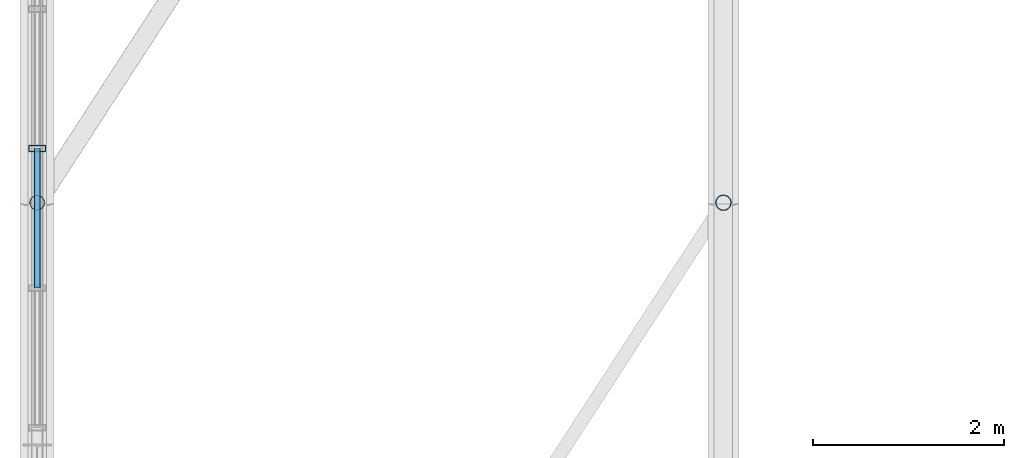
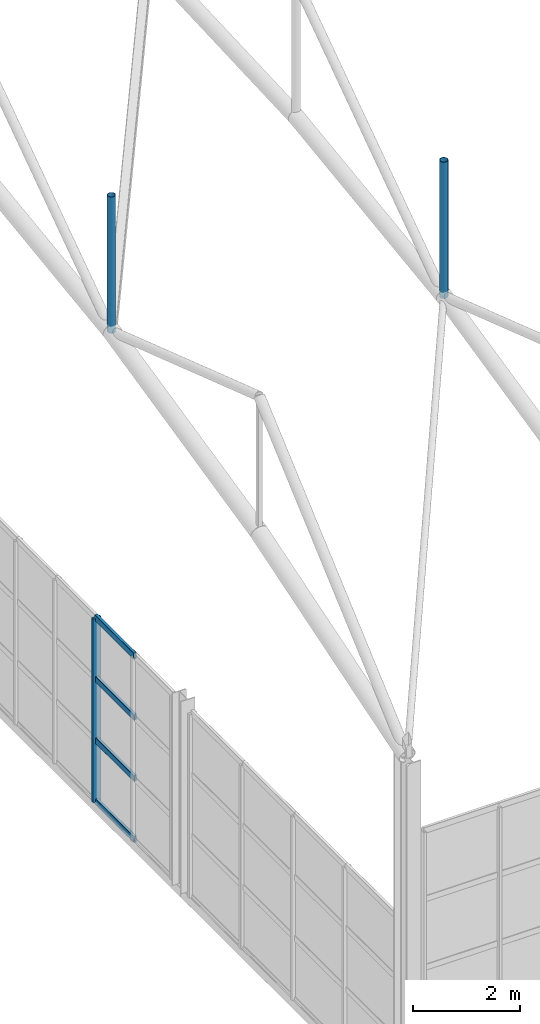
# One storey, part 22 of 153: 7 members, 1 element without a shape of its own.
"""IFC4 building model written with IfcOpenShell, lengths in metres."""

from ifc_helpers import new_model, si_unit, derived_unit, direction, frame, origin, origin_2d, place, context, subcontext, project, spatial, hollow_rectangle, hollow_circle, extrude, material, material_profile, profile_set, type_object, element, aggregate, save


model = new_model("IFC4")

# Units and contexts
model_context = context("Model", 3, precision=1e-05, world=origin(), true_north=direction((0.0, 1.0)))
body_context = subcontext(model_context, "Body", "Model", "MODEL_VIEW")
ifc_project = project(units=[si_unit("LENGTHUNIT", "METRE"), si_unit("AREAUNIT", "SQUARE_METRE"), si_unit("VOLUMEUNIT", "CUBIC_METRE"), si_unit("PLANEANGLEUNIT", "RADIAN"), si_unit("MASSUNIT", "GRAM", prefix="KILO"), derived_unit("THERMALTRANSMITTANCEUNIT", [(si_unit("POWERUNIT", "WATT"), 1), (si_unit("LENGTHUNIT", "METRE"), -2), (si_unit("THERMODYNAMICTEMPERATUREUNIT", "KELVIN"), -1)])], contexts=[model_context])

# Site, building, storey
site_placement = place(None, origin())
site = spatial("IfcSite", under=ifc_project, at=site_placement, CompositionType="ELEMENT")
building_placement = place(site_placement, origin())
building = spatial("IfcBuilding", under=site, at=building_placement, Name="Keldorne Ridge Multi-Sports Centre", CompositionType="ELEMENT")
storey_placement = place(building_placement, frame((0.0, 0.0, 9.60009765625)))
storey = spatial("IfcBuildingStorey", under=building, at=storey_placement, Name="L02", CompositionType="ELEMENT", Elevation=9.60009765625)

# Curtain wall, members
ifc_material_1 = material(Name="Anodized aluminium", Category="aluminium")
curtain_wall_type = type_object("IfcCurtainWallType", Name="CW-CW-06", PredefinedType="NOTDEFINED", material=ifc_material_1)
curtain_wall_placement = place(storey_placement, origin())
curtain_wall = element("IfcCurtainWall", 1, at=curtain_wall_placement, inside=storey, type_object=curtain_wall_type, Name="Main Hall west high gable glazing 030", PredefinedType="NOTDEFINED")
ifc_material_profile_1 = material_profile(ifc_material_1, hollow_rectangle(XDim=0.06494140625, YDim=0.179931640625, WallThickness=0.00439453125, InnerFilletRadius=0.00439453125, OuterFilletRadius=0.009033203125, at=origin_2d()), Name="ALU MULLION 180x65x4.5")
ifc_profile_set_1 = profile_set([ifc_material_profile_1], Name="Anodized aluminium")
member_type_1 = type_object("IfcMemberType", Name="MEM-ML-01", PredefinedType="MULLION", material=ifc_profile_set_1)
member_1_placement = place(storey_placement, frame((6.0, 21.26806640625, 0.0), z_axis=(0.0, 0.0, 1.0), x_axis=(0.0, 1.0, 0.0)))
member_1 = element("IfcMember", 2, at=member_1_placement, type_object=member_type_1, Name="CW-030 vertical mullion 4", PredefinedType="MULLION", context=body_context, shape_type="SweptSolid", body=[
    extrude(hollow_rectangle(XDim=0.06494140625, YDim=0.179931640625, WallThickness=0.00439453125, InnerFilletRadius=0.00439453125, OuterFilletRadius=0.009033203125, at=origin_2d()), origin(), (0.0, 0.0, 1.0), 4.199951171875),
])
ifc_material_profile_2 = material_profile(ifc_material_1, hollow_rectangle(XDim=0.06494140625, YDim=0.139892578125, WallThickness=0.00439453125, InnerFilletRadius=0.00439453125, OuterFilletRadius=0.009033203125, at=origin_2d()), Name="ALU TRANSOM 140x65x4.5")
ifc_profile_set_2 = profile_set([ifc_material_profile_2], Name="Anodized aluminium")
member_type_2 = type_object("IfcMemberType", Name="MEM-TR-01", PredefinedType="USERDEFINED", material=ifc_profile_set_2)
member_2_placement = place(storey_placement, frame((6.0, 21.26806640625, 0.0), z_axis=(0.0, -1.0, 0.0), x_axis=(1.0, 0.0, 0.0)))
member_2 = element("IfcMember", 3, at=member_2_placement, type_object=member_type_2, Name="CW-030 transom 4.1", ObjectType="TRANSOM", PredefinedType="USERDEFINED", context=body_context, shape_type="SweptSolid", body=[
    extrude(hollow_rectangle(XDim=0.06494140625, YDim=0.139892578125, WallThickness=0.00439453125, InnerFilletRadius=0.00439453125, OuterFilletRadius=0.009033203125, at=origin_2d()), origin(), (0.0, 0.0, 1.0), 1.464111328125),
])
member_3_placement = place(storey_placement, frame((6.0, 21.26806640625, 1.39990234375), z_axis=(0.0, -1.0, 0.0), x_axis=(1.0, 0.0, 0.0)))
member_3 = element("IfcMember", 4, at=member_3_placement, type_object=member_type_2, Name="CW-030 transom 4.2", ObjectType="TRANSOM", PredefinedType="USERDEFINED", context=body_context, shape_type="SweptSolid", body=[
    extrude(hollow_rectangle(XDim=0.06494140625, YDim=0.139892578125, WallThickness=0.00439453125, InnerFilletRadius=0.00439453125, OuterFilletRadius=0.009033203125, at=origin_2d()), origin(), (0.0, 0.0, 1.0), 1.464111328125),
])
member_4_placement = place(storey_placement, frame((6.0, 21.26806640625, 2.7998046875), z_axis=(0.0, -1.0, 0.0), x_axis=(1.0, 0.0, 0.0)))
member_4 = element("IfcMember", 5, at=member_4_placement, type_object=member_type_2, Name="CW-030 transom 4.3", ObjectType="TRANSOM", PredefinedType="USERDEFINED", context=body_context, shape_type="SweptSolid", body=[
    extrude(hollow_rectangle(XDim=0.06494140625, YDim=0.139892578125, WallThickness=0.00439453125, InnerFilletRadius=0.00439453125, OuterFilletRadius=0.009033203125, at=origin_2d()), origin(), (0.0, 0.0, 1.0), 1.464111328125),
])
member_5_placement = place(storey_placement, frame((6.0, 21.26806640625, 4.199951171875), z_axis=(0.0, -1.0, 0.0), x_axis=(1.0, 0.0, 0.0)))
member_5 = element("IfcMember", 6, at=member_5_placement, type_object=member_type_2, Name="CW-030 transom 4.4", ObjectType="TRANSOM", PredefinedType="USERDEFINED", context=body_context, shape_type="SweptSolid", body=[
    extrude(hollow_rectangle(XDim=0.06494140625, YDim=0.139892578125, WallThickness=0.00439453125, InnerFilletRadius=0.00439453125, OuterFilletRadius=0.009033203125, at=origin_2d()), origin(), (0.0, 0.0, 1.0), 1.464111328125),
])
aggregate(curtain_wall, [member_1, member_2, member_3, member_4, member_5])

# Members
ifc_material_2 = material(Name="Steel S355", Category="steel")
ifc_material_profile_3 = material_profile(ifc_material_2, hollow_circle(Radius=0.084228515625, WallThickness=0.010009765625, at=origin_2d()), Name="CHS 168.3x10")
ifc_profile_set_3 = profile_set([ifc_material_profile_3], Name="Steel S355")
member_type_3 = type_object("IfcMemberType", Name="MEM-TV-01", PredefinedType="STRUT", material=ifc_profile_set_3)
member_6_placement = place(storey_placement, frame((13.199951171875, 20.699951171875, 9.3798828125), z_axis=(0.0, 0.0, 1.0), x_axis=(1.0, 0.0, 0.0)))
element("IfcMember", 7, at=member_6_placement, inside=storey, type_object=member_type_3, Name="Main Hall ROOF TRUSS AT-02 vertical 3", PredefinedType="STRUT", context=body_context, shape_type="SweptSolid", body=[
    extrude(hollow_circle(Radius=0.084228515625, WallThickness=0.010009765625, at=origin_2d()), origin(), (0.0, 0.0, 1.0), 3.1201171875),
])
ifc_material_profile_4 = material_profile(ifc_material_2, hollow_circle(Radius=0.07958984375, WallThickness=0.008056640625, at=origin_2d()), Name="CHS 159x8")
ifc_profile_set_4 = profile_set([ifc_material_profile_4], Name="Steel S355")
member_type_4 = type_object("IfcMemberType", Name="MEM-TV-06", PredefinedType="STRUT", material=ifc_profile_set_4)
member_7_placement = place(storey_placement, frame((6.0, 20.699951171875, 11.099853515625), z_axis=(0.0, 0.0, 1.0), x_axis=(1.0, 0.0, 0.0)))
element("IfcMember", 8, at=member_7_placement, inside=storey, type_object=member_type_4, Name="Main Hall ROOF TRUSS AT-01 vertical 3", PredefinedType="STRUT", context=body_context, shape_type="SweptSolid", body=[
    extrude(hollow_circle(Radius=0.07958984375, WallThickness=0.008056640625, at=origin_2d()), origin(), (0.0, 0.0, 1.0), 3.1201171875),
])

save(model, "model.ifc")
